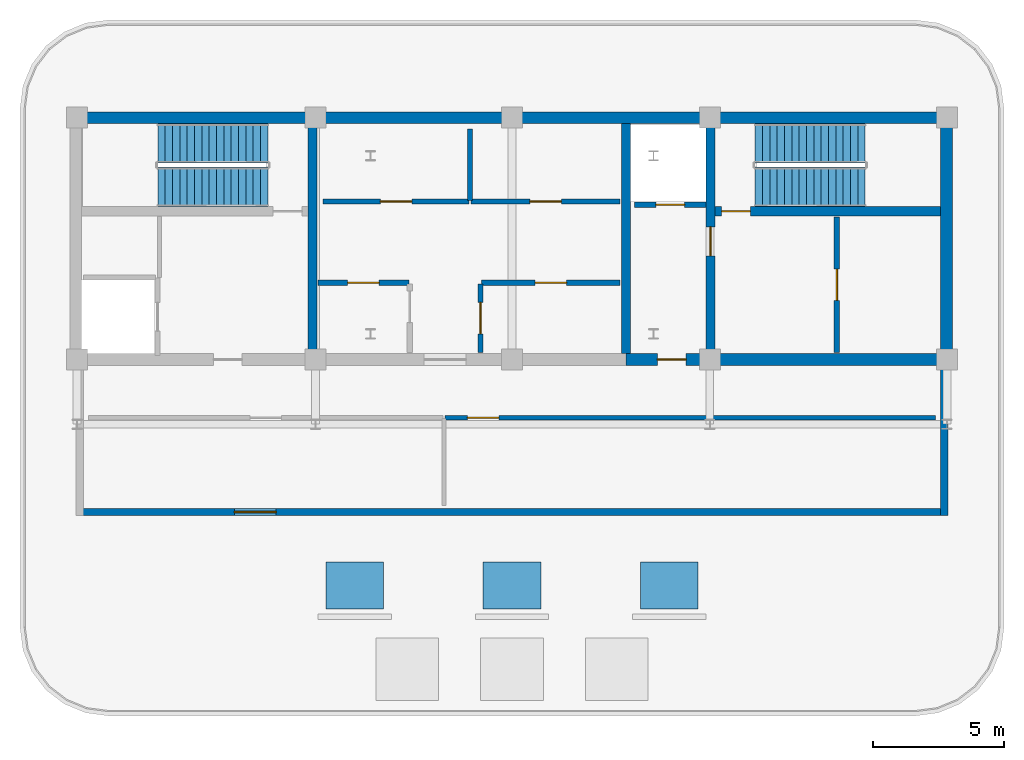
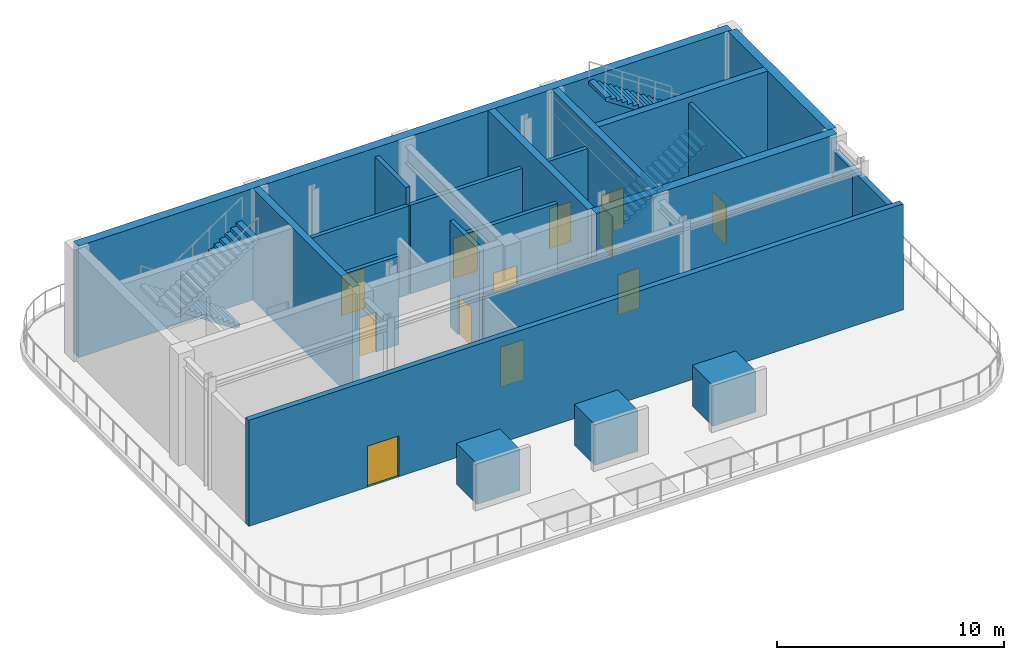
# One storey, part 2 of 4: 18 walls, 12 doors, 4 stair flights, 3 discrete accessories, 12 openings, 2 elements without a shape of their own.
"""IFC4 building model written with IfcOpenShell, lengths in metres."""

import ifcopenshell
import ifcopenshell.guid

model = None  # the IFC model being written
_history = None  # IfcOwnerHistory: only IFC2X3 demands one
_inside = {}  # id of a spatial element -> (the spatial element, [elements in it])
_under = {}  # id of a project, library or spatial element -> (it, [spatial elements below it])
_declared = {}  # id of a project -> (the project, [libraries it declares])
_typed = {}  # id of a type object -> (the type object, [elements of that type])
_made_of = {}  # id of a material, layer set ... -> (it, [elements and type objects made of it])


def new_model(schema):
    """Start an empty IFC model of exactly this schema.

    Asked for "IFC4X3", IfcOpenShell would pick the latest addendum, in which some entities
    have other attributes; the version numbers below select the first issue.
    IFC2X3 requires an IfcOwnerHistory on every rooted entity: one is made here for all.
    """
    global model, _history
    if schema == "IFC4X3":
        model = ifcopenshell.file(schema_version=(4, 3, 0, 0))
    else:
        model = ifcopenshell.file(schema=schema)
    _inside.clear()
    _under.clear()
    _declared.clear()
    _typed.clear()
    _made_of.clear()
    _history = None
    if model.schema == "IFC2X3":
        org = make("IfcOrganization", Name="unknown")
        user = make(
            "IfcPersonAndOrganization",
            ThePerson=make("IfcPerson", FamilyName="unknown"),
            TheOrganization=org,
        )
        app = make(
            "IfcApplication",
            ApplicationDeveloper=org,
            Version="unknown",
            ApplicationFullName="unknown",
            ApplicationIdentifier="unknown",
        )
        _history = make(
            "IfcOwnerHistory",
            OwningUser=user,
            OwningApplication=app,
            ChangeAction="ADDED",
            CreationDate=0,
        )
    return model


def make(cls, **values):
    """One entity of the class cls with the attributes given. An attribute that is None is left unset."""
    return model.create_entity(
        cls, **{name: value for name, value in values.items() if value is not None}
    )


def rooted(cls, **values):
    """An entity with a GlobalId (a new one), such as an element, a storey or a relation."""
    return make(cls, GlobalId=ifcopenshell.guid.new(), OwnerHistory=_history, **values)


def si_unit(unit_type, name, prefix=None):
    """IfcSIUnit, for example si_unit("LENGTHUNIT", "METRE", prefix="MILLI")."""
    return make("IfcSIUnit", UnitType=unit_type, Prefix=prefix, Name=name)


def assignment(units):
    """IfcUnitAssignment: the units of a project."""
    return None if units is None else make("IfcUnitAssignment", Units=units)


def point(xyz):
    """IfcCartesianPoint."""
    return None if xyz is None else make("IfcCartesianPoint", Coordinates=xyz)


def direction(xyz):
    """IfcDirection."""
    return None if xyz is None else make("IfcDirection", DirectionRatios=xyz)


def frame(location, z_axis=None, x_axis=None):
    """IfcAxis2Placement3D, a coordinate frame: its origin and axes. An axis left out is left unset."""
    return make(
        "IfcAxis2Placement3D",
        Location=point(location),
        Axis=direction(z_axis),
        RefDirection=direction(x_axis),
    )


def frame_2d(location, x_axis=None):
    """IfcAxis2Placement2D, a coordinate frame in the plane: its origin and x axis."""
    return make(
        "IfcAxis2Placement2D", Location=point(location), RefDirection=direction(x_axis)
    )


def origin():
    """The frame at (0, 0, 0) with its axes left unset."""
    return frame((0.0, 0.0, 0.0))


def origin_2d():
    """The frame at (0, 0) in the plane with its x axis left unset."""
    return frame_2d((0.0, 0.0))


def place(relative_to, where):
    """IfcLocalPlacement: puts the frame where relative to a parent placement (None: the world)."""
    return make(
        "IfcLocalPlacement", PlacementRelTo=relative_to, RelativePlacement=where
    )


def context(
    kind, dimensions, precision=None, world=None, true_north=None, identifier=None
):
    """IfcGeometricRepresentationContext, for example the 3D "Model" context."""
    return make(
        "IfcGeometricRepresentationContext",
        ContextIdentifier=identifier,
        ContextType=kind,
        CoordinateSpaceDimension=dimensions,
        Precision=precision,
        WorldCoordinateSystem=world,
        TrueNorth=true_north,
    )


def subcontext(parent, identifier, kind, view, scale=None):
    """IfcGeometricRepresentationSubContext, for example "Body" below "Model"."""
    return make(
        "IfcGeometricRepresentationSubContext",
        ContextIdentifier=identifier,
        ContextType=kind,
        ParentContext=parent,
        TargetScale=scale,
        TargetView=view,
    )


def project(units=None, contexts=None):
    """IfcProject with its units and contexts."""
    return rooted(
        "IfcProject",
        Name="project",
        RepresentationContexts=contexts,
        UnitsInContext=assignment(units),
    )


def spatial(cls, under=None, at=None, **own):
    """A site, building, storey or space (cls), placed at a placement, below another one or the project."""
    s = rooted(cls, ObjectPlacement=at, **own)
    if under is not None:
        _under.setdefault(under.id(), (under, []))[1].append(s)
    return s


def polyline(points):
    """IfcPolyline through the points."""
    return make("IfcPolyline", Points=[point(p) for p in points])


def profile(cls, at=None, kind="AREA", **sizes):
    """A parametric profile (cls). Its sizes go by their IFC names, for example OverallWidth=200.0."""
    return make(cls, ProfileType=kind, Position=at, **sizes)


def rectangle(**sizes):
    """IfcRectangleProfileDef."""
    return profile("IfcRectangleProfileDef", **sizes)


def outline(outer, holes=None, kind="AREA"):
    """IfcArbitraryClosedProfileDef: a profile drawn as a closed curve; with holes, ...WithVoids."""
    if holes is None:
        return make("IfcArbitraryClosedProfileDef", ProfileType=kind, OuterCurve=outer)
    return make(
        "IfcArbitraryProfileDefWithVoids",
        ProfileType=kind,
        OuterCurve=outer,
        InnerCurves=holes,
    )


def extrude(swept, where, along, depth):
    """IfcExtrudedAreaSolid: the profile swept, set in the frame where, extruded along a direction by depth."""
    return make(
        "IfcExtrudedAreaSolid",
        SweptArea=swept,
        Position=where,
        ExtrudedDirection=direction(along),
        Depth=depth,
    )


def shape(context_of_items, identifier, shape_type, items):
    """IfcShapeRepresentation: the items that make up one representation, for example the "Body"."""
    return make(
        "IfcShapeRepresentation",
        ContextOfItems=context_of_items,
        RepresentationIdentifier=identifier,
        RepresentationType=shape_type,
        Items=items,
    )


def material(Name=None, Category=None):
    """IfcMaterial."""
    return make("IfcMaterial", Name=Name, Category=Category)


def layer(
    of_material, thickness, ventilated=None, Name=None, Category=None, Priority=None
):
    """IfcMaterialLayer: one layer of a wall or slab, of a material (None: an air gap)."""
    return make(
        "IfcMaterialLayer",
        Material=of_material,
        LayerThickness=thickness,
        IsVentilated=ventilated,
        Name=Name,
        Category=Category,
        Priority=Priority,
    )


def layer_set(layers, Name=None):
    """IfcMaterialLayerSet."""
    return make("IfcMaterialLayerSet", MaterialLayers=layers, LayerSetName=Name)


def made_of(thing, what):
    """Note that an element or type object is made of a material, layer set ...; save() writes the relation."""
    if what is not None:
        _made_of.setdefault(what.id(), (what, []))[1].append(thing)
    return thing


def type_object(cls, material=None, **own):
    """A type object (cls), such as IfcWallType, which elements share."""
    return made_of(rooted(cls, **own), material)


def element(
    cls,
    number,
    at=None,
    inside=None,
    cuts=None,
    type_object=None,
    material=None,
    context=None,
    identifier="Body",
    shape_type=None,
    held_by="IfcProductDefinitionShape",
    body=None,
    shapes=None,
    **own,
):
    """One element of the class cls, such as IfcWall. Its Tag is "e" and its number.

    at: its placement. inside: the storey or other place that contains it. cuts: it is an
    opening in that element (IfcRelVoidsElement). A single representation is given by context,
    identifier, shape_type and body (its items); several are given by shapes. held_by: the class
    of the entity that holds the representations. save() writes the other relations.
    """
    e = rooted(cls, Tag="e%d" % number, ObjectPlacement=at, **own)
    if body is not None:
        shapes = [shape(context, identifier, shape_type, body)]
    if shapes is not None:
        e.Representation = make(held_by, Representations=shapes)
    if inside is not None:
        _inside.setdefault(inside.id(), (inside, []))[1].append(e)
    if cuts is not None:
        rooted(
            "IfcRelVoidsElement", RelatingBuildingElement=cuts, RelatedOpeningElement=e
        )
    if type_object is not None:
        _typed.setdefault(type_object.id(), (type_object, []))[1].append(e)
    return made_of(e, material)


def fill(opening, filler):
    """IfcRelFillsElement: the door or window that sits in an opening."""
    return rooted(
        "IfcRelFillsElement",
        RelatingOpeningElement=opening,
        RelatedBuildingElement=filler,
    )


def aggregate(whole, parts):
    """IfcRelAggregates: a whole, such as a stair, and the parts it consists of."""
    return rooted("IfcRelAggregates", RelatingObject=whole, RelatedObjects=parts)


def save(model, path):
    """Write the relations noted so far, then the file.

    IfcRelAggregates (storeys below a building ...), IfcRelContainedInSpatialStructure (elements
    in a storey), IfcRelDefinesByType, IfcRelAssociatesMaterial and IfcRelDeclares: one each for
    every whole, place, type object, material and project.
    """
    for whole, parts in _under.values():
        aggregate(whole, parts)
    for where, things in _inside.values():
        rooted(
            "IfcRelContainedInSpatialStructure",
            RelatedElements=things,
            RelatingStructure=where,
        )
    for kind, things in _typed.values():
        rooted("IfcRelDefinesByType", RelatedObjects=things, RelatingType=kind)
    for what, things in _made_of.values():
        rooted("IfcRelAssociatesMaterial", RelatedObjects=things, RelatingMaterial=what)
    for by, libraries in _declared.values():
        rooted("IfcRelDeclares", RelatingContext=by, RelatedDefinitions=libraries)
    model.write(path)


model = new_model("IFC4")

# Units and contexts
model_context = context("Model", 3, precision=1e-05, world=origin(), true_north=direction((0.0, 1.0)))
body_context = subcontext(model_context, "Body", "Model", "MODEL_VIEW")
ifc_project = project(units=[si_unit("LENGTHUNIT", "METRE"), si_unit("AREAUNIT", "SQUARE_METRE"), si_unit("VOLUMEUNIT", "CUBIC_METRE"), si_unit("PLANEANGLEUNIT", "RADIAN"), si_unit("MASSUNIT", "GRAM", prefix="KILO")], contexts=[model_context])

# Site, building, storey
site_placement = place(None, origin())
site = spatial("IfcSite", under=ifc_project, at=site_placement, CompositionType="ELEMENT")
building_placement = place(site_placement, origin())
building = spatial("IfcBuilding", under=site, at=building_placement, Name="Zarnavel Station Tower", CompositionType="ELEMENT")
storey_placement = place(building_placement, frame((0.0, 0.0, 280.60009765625)))
storey = spatial("IfcBuildingStorey", under=building, at=storey_placement, Name="L76", CompositionType="ELEMENT", Elevation=280.60009765625)

# Walls
ifc_material_1 = material(Name="Concrete C50/60", Category="concrete")
ifc_layer_1 = layer(ifc_material_1, 0.35009765625)
ifc_layer_set_1 = layer_set([ifc_layer_1], Name="CW_350")
wall_type_1 = type_object("IfcWallType", Name="CW_350", PredefinedType="SHEAR", material=ifc_layer_set_1)
for number, where, z_axis, x_axis, name in (
    (1, (21.179931640625, 28.044921875, 0.0), (0.0, 0.0, 1.0), (0.0, 1.0, 0.0), "L76 Rear Core Shear Wall DIV-W"),
    (2, (33.14990234375, 28.044921875, 0.0), (0.0, 0.0, 1.0), (0.0, 1.0, 0.0), "L76 Rear Core Shear Wall DIV-E"),
):
    element("IfcWall", number, at=place(storey_placement, frame(where, z_axis=z_axis, x_axis=x_axis)), inside=storey, type_object=wall_type_1, Name=name, PredefinedType="SHEAR", context=body_context, shape_type="SweptSolid", body=[
        extrude(rectangle(XDim=8.780029296875, YDim=0.35009765625, at=frame_2d((4.39013671875, 0.0))), origin(), (0.0, 0.0, 1.0), 6.0),
    ])

# Wall, opening, door
wall_1_placement = place(storey_placement, frame((36.3798828125, 28.044921875, 0.0), z_axis=(0.0, 0.0, 1.0), x_axis=(0.0, 1.0, 0.0)))
wall_1 = element("IfcWall", 3, at=wall_1_placement, inside=storey, type_object=wall_type_1, Name="L76 Rear Core Shear Wall DIV-S2", PredefinedType="SHEAR", context=body_context, shape_type="SweptSolid", body=[
    extrude(rectangle(XDim=8.780029296875, YDim=0.35009765625, at=frame_2d((4.39013671875, 0.0))), origin(), (0.0, 0.0, 1.0), 6.0),
])
opening_1_placement = place(wall_1_placement, frame((3.735107421875, 0.0, 0.0)))
opening_1 = element("IfcOpeningElement", 4, at=opening_1_placement, cuts=wall_1, Name="Opening FD01", PredefinedType="OPENING", context=body_context, shape_type="SweptSolid", body=[
    extrude(rectangle(XDim=1.10009765625, YDim=2.14990234375, at=frame_2d((0.550048828125, 1.074951171875))), frame((0.0, 0.18505859375, 0.0), z_axis=(0.0, -1.0, 0.0), x_axis=(1.0, 0.0, 0.0)), (0.0, 0.0, 1.0), 0.3701171875),
])
ifc_material_2 = material(Name="Painted Galvanised Steel and Hardwood Leaf", Category="steel")
door_type_1 = type_object("IfcDoorType", Name="ID_STAIR_1100", OperationType="NOTDEFINED", PredefinedType="DOOR", material=ifc_material_2)
door_1_placement = place(opening_1_placement, origin())
door_1 = element("IfcDoor", 5, at=door_1_placement, inside=storey, type_object=door_type_1, Name="L76 East Stair Vestibule Fire Door", OperationType="SINGLE_SWING_LEFT", OverallHeight=2.14990234375, OverallWidth=1.10009765625, PredefinedType="DOOR", context=body_context, shape_type="SweptSolid", body=[
    extrude(rectangle(XDim=1.10009765625, YDim=2.14990234375, at=frame_2d((0.550048828125, 1.074951171875))), frame((0.0, 0.02490234375, 0.0), z_axis=(0.0, -1.0, 0.0), x_axis=(1.0, 0.0, 0.0)), (0.0, 0.0, 1.0), 0.050048828125),
])
fill(opening_1, door_1)

wall_2_placement = place(storey_placement, frame((45.155029296875, 33.47998046875, 0.0), z_axis=(0.0, 0.0, 1.0), x_axis=(-1.0, 0.0, 0.0)))
wall_2 = element("IfcWall", 6, at=wall_2_placement, inside=storey, type_object=wall_type_1, Name="L76 Rear Core Shear Wall DIV-H2", PredefinedType="SHEAR", context=body_context, shape_type="SweptSolid", body=[
    extrude(rectangle(XDim=8.60009765625, YDim=0.35009765625, at=frame_2d((4.300048828125, 0.0))), origin(), (0.0, 0.0, 1.0), 6.0),
])
opening_2_placement = place(wall_2_placement, frame((7.2548828125, 0.0, 0.0)))
opening_2 = element("IfcOpeningElement", 7, at=opening_2_placement, cuts=wall_2, Name="Opening FD01", PredefinedType="OPENING", context=body_context, shape_type="SweptSolid", body=[
    extrude(rectangle(XDim=1.10009765625, YDim=2.14990234375, at=frame_2d((0.550048828125, 1.074951171875))), frame((0.0, 0.18505859375, 0.0), z_axis=(0.0, -1.0, 0.0), x_axis=(1.0, 0.0, 0.0)), (0.0, 0.0, 1.0), 0.3701171875),
])
door_2_placement = place(opening_2_placement, origin())
door_2 = element("IfcDoor", 8, at=door_2_placement, inside=storey, type_object=door_type_1, Name="L76 Stair ST2 Lobby Fire Door", OperationType="SINGLE_SWING_RIGHT", OverallHeight=2.14990234375, OverallWidth=1.10009765625, PredefinedType="DOOR", context=body_context, shape_type="SweptSolid", body=[
    extrude(rectangle(XDim=1.10009765625, YDim=2.14990234375, at=frame_2d((0.550048828125, 1.074951171875))), frame((0.0, 0.02490234375, 0.0), z_axis=(0.0, -1.0, 0.0), x_axis=(1.0, 0.0, 0.0)), (0.0, 0.0, 1.0), 0.050048828125),
])
fill(opening_2, door_2)

# Wall
ifc_material_3 = material(Name="Concrete C50/60", Category="concrete")
ifc_layer_2 = layer(ifc_material_3, 0.449951171875)
ifc_layer_set_2 = layer_set([ifc_layer_2], Name="CW_450")
wall_type_2 = type_object("IfcWallType", Name="CW_450", PredefinedType="SHEAR", material=ifc_layer_set_2)
wall_3_placement = place(storey_placement, frame((12.14990234375, 37.050048828125, 0.0), z_axis=(0.0, 0.0, 1.0), x_axis=(1.0, 0.0, 0.0)))
element("IfcWall", 9, at=wall_3_placement, inside=storey, type_object=wall_type_2, Name="L76 Rear Core Shear Wall N", PredefinedType="SHEAR", context=body_context, shape_type="SweptSolid", body=[
    extrude(rectangle(XDim=33.22998046875, YDim=0.449951171875, at=frame_2d((16.614990234375, 0.0))), origin(), (0.0, 0.0, 1.0), 6.0),
])

# Wall, opening, door
wall_4_placement = place(storey_placement, frame((45.3798828125, 27.820068359375, 0.0), z_axis=(0.0, 0.0, 1.0), x_axis=(-1.0, 0.0, 0.0)))
wall_4 = element("IfcWall", 10, at=wall_4_placement, inside=storey, type_object=wall_type_2, Name="L76 Rear Core Shear Wall S-E", PredefinedType="SHEAR", context=body_context, shape_type="SweptSolid", body=[
    extrude(rectangle(XDim=12.22998046875, YDim=0.449951171875, at=frame_2d((6.114990234375, 0.0))), origin(), (0.0, 0.0, 1.0), 6.0),
])
opening_3_placement = place(wall_4_placement, frame((9.929931640625, 0.0, 0.0)))
opening_3 = element("IfcOpeningElement", 11, at=opening_3_placement, cuts=wall_4, Name="Opening FD01", PredefinedType="OPENING", context=body_context, shape_type="SweptSolid", body=[
    extrude(rectangle(XDim=1.10009765625, YDim=2.14990234375, at=frame_2d((0.550048828125, 1.074951171875))), frame((0.0, 0.23486328125, 0.0), z_axis=(0.0, -1.0, 0.0), x_axis=(1.0, 0.0, 0.0)), (0.0, 0.0, 1.0), 0.469970703125),
])
door_3_placement = place(opening_3_placement, origin())
door_3 = element("IfcDoor", 12, at=door_3_placement, inside=storey, type_object=door_type_1, Name="L76 East Firefighting Lobby Door", OperationType="SINGLE_SWING_LEFT", OverallHeight=2.14990234375, OverallWidth=1.10009765625, PredefinedType="DOOR", context=body_context, shape_type="SweptSolid", body=[
    extrude(rectangle(XDim=1.10009765625, YDim=2.14990234375, at=frame_2d((0.550048828125, 1.074951171875))), frame((0.0, 0.02490234375, 0.0), z_axis=(0.0, -1.0, 0.0), x_axis=(1.0, 0.0, 0.0)), (0.0, 0.0, 1.0), 0.050048828125),
])
fill(opening_3, door_3)

# Wall
wall_5_placement = place(storey_placement, frame((45.3798828125, 28.044921875, 0.0), z_axis=(0.0, 0.0, 1.0), x_axis=(0.0, 1.0, 0.0)))
element("IfcWall", 13, at=wall_5_placement, inside=storey, type_object=wall_type_2, Name="L76 Rear Core Shear Wall E", PredefinedType="SHEAR", context=body_context, shape_type="SweptSolid", body=[
    extrude(rectangle(XDim=8.780029296875, YDim=0.449951171875, at=frame_2d((4.39013671875, 0.0))), origin(), (0.0, 0.0, 1.0), 6.0),
])

# Wall, opening, door
ifc_material_4 = material(Name="Precast concrete C45/55 (Crown Drum Cladding)", Category="concrete")
ifc_layer_3 = layer(ifc_material_4, 0.280029296875)
ifc_layer_set_3 = layer_set([ifc_layer_3], Name="EW_DRUM_280")
wall_type_3 = type_object("IfcWallType", Name="EW_DRUM_280", PredefinedType="SOLIDWALL", material=ifc_layer_set_3)
wall_6_placement = place(storey_placement, frame((45.43994140625, 22.0, 0.0), z_axis=(0.0, 0.0, 1.0), x_axis=(-1.0, 0.0, 0.0)))
wall_6 = element("IfcWall", 14, at=wall_6_placement, inside=storey, type_object=wall_type_3, Name="L76 Turbine Plant South Enclosure Wall", PredefinedType="SOLIDWALL", context=body_context, shape_type="SweptSolid", body=[
    extrude(rectangle(XDim=33.280029296875, YDim=0.280029296875, at=frame_2d((16.64013671875, 0.0))), origin(), (0.0, 0.0, 1.0), 5.699951171875),
])
opening_4_placement = place(wall_6_placement, frame((25.639892578125, 0.0, 0.0)))
opening_4 = element("IfcOpeningElement", 15, at=opening_4_placement, cuts=wall_6, Name="Opening ED03", PredefinedType="OPENING", context=body_context, shape_type="SweptSolid", body=[
    extrude(rectangle(XDim=1.60009765625, YDim=2.199951171875, at=frame_2d((0.800048828125, 1.10009765625))), frame((0.0, 0.14990234375, 0.0), z_axis=(0.0, -1.0, 0.0), x_axis=(1.0, 0.0, 0.0)), (0.0, 0.0, 1.0), 0.300048828125),
])
ifc_material_5 = material(Name="Thermally Broken Black Aluminium and Laminated Safety Glass", Category="aluminium")
door_type_2 = type_object("IfcDoorType", Name="ED_TERR_1600", OperationType="DOUBLE_DOOR_SLIDING", PredefinedType="DOOR", material=ifc_material_5)
door_4_placement = place(opening_4_placement, origin())
door_4 = element("IfcDoor", 16, at=door_4_placement, inside=storey, type_object=door_type_2, Name="L76 Turbine Maintenance Deck Door", OperationType="DOUBLE_DOOR_SLIDING", OverallHeight=2.199951171875, OverallWidth=1.60009765625, PredefinedType="DOOR", context=body_context, shape_type="SweptSolid", body=[
    extrude(rectangle(XDim=1.60009765625, YDim=2.199951171875, at=frame_2d((0.800048828125, 1.10009765625))), frame((0.0, 0.02490234375, 0.0), z_axis=(0.0, -1.0, 0.0), x_axis=(1.0, 0.0, 0.0)), (0.0, 0.0, 1.0), 0.050048828125),
])
fill(opening_4, door_4)

# Wall
wall_7_placement = place(storey_placement, frame((45.300048828125, 27.550048828125, 0.0), z_axis=(0.0, 0.0, 1.0), x_axis=(0.0, -1.0, 0.0)))
element("IfcWall", 17, at=wall_7_placement, inside=storey, type_object=wall_type_3, Name="L76 Turbine Plant E Wall", PredefinedType="SOLIDWALL", context=body_context, shape_type="SweptSolid", body=[
    extrude(rectangle(XDim=5.68994140625, YDim=0.280029296875, at=frame_2d((2.844970703125, 0.0))), origin(), (0.0, 0.0, 1.0), 5.179931640625),
])

# Wall, opening, door
ifc_material_6 = material(Name="Gypsum Twin-Stud Acoustic Fire Partition", Category="concrete")
ifc_layer_4 = layer(ifc_material_6, 0.159912109375)
ifc_layer_set_4 = layer_set([ifc_layer_4], Name="PT_DEMISE_160")
wall_type_4 = type_object("IfcWallType", Name="PT_DEMISE_160", PredefinedType="PARTITIONING", material=ifc_layer_set_4)
wall_8_placement = place(storey_placement, frame((26.239990234375, 25.60009765625, 0.0), z_axis=(0.0, 0.0, 1.0), x_axis=(1.0, 0.0, 0.0)))
wall_8 = element("IfcWall", 18, at=wall_8_placement, inside=storey, type_object=wall_type_4, Name="L76 Partition TCOR-INV", PredefinedType="PARTITIONING", context=body_context, shape_type="SweptSolid", body=[
    extrude(rectangle(XDim=18.719970703125, YDim=0.159912109375, at=frame_2d((9.35986328125, 0.0))), origin(), (0.0, 0.0, 1.0), 5.179931640625),
])
opening_5_placement = place(wall_8_placement, frame((0.8583984375, 0.0, 0.0)))
opening_5 = element("IfcOpeningElement", 19, at=opening_5_placement, cuts=wall_8, Name="Opening FD03", PredefinedType="OPENING", context=body_context, shape_type="SweptSolid", body=[
    extrude(rectangle(XDim=1.199951171875, YDim=2.14990234375, at=frame_2d((0.60009765625, 1.074951171875))), frame((0.0, 0.08984375, 0.0), z_axis=(0.0, -1.0, 0.0), x_axis=(1.0, 0.0, 0.0)), (0.0, 0.0, 1.0), 0.179931640625),
])
ifc_material_7 = material(Name="Painted Galvanised Steel and Hardwood Leaf", Category="steel")
door_type_3 = type_object("IfcDoorType", Name="ID_PLANT_1200", OperationType="NOTDEFINED", PredefinedType="DOOR", material=ifc_material_7)
door_5_placement = place(opening_5_placement, origin())
door_5 = element("IfcDoor", 20, at=door_5_placement, inside=storey, type_object=door_type_3, Name="L76 Door TCOR-INV", OperationType="SINGLE_SWING_RIGHT", OverallHeight=2.14990234375, OverallWidth=1.199951171875, PredefinedType="DOOR", context=body_context, shape_type="SweptSolid", body=[
    extrude(rectangle(XDim=1.199951171875, YDim=2.14990234375, at=frame_2d((0.60009765625, 1.074951171875))), frame((0.0, 0.02490234375, 0.0), z_axis=(0.0, -1.0, 0.0), x_axis=(1.0, 0.0, 0.0)), (0.0, 0.0, 1.0), 0.050048828125),
])
fill(opening_5, door_5)

ifc_material_8 = material(Name="Precast concrete C45/55 (Fire Shaft Blockwork)", Category="masonry")
ifc_layer_5 = layer(ifc_material_8, 0.199951171875)
ifc_layer_set_5 = layer_set([ifc_layer_5], Name="PT_SHAFT_200")
wall_type_5 = type_object("IfcWallType", Name="PT_SHAFT_200", PredefinedType="PARTITIONING", material=ifc_layer_set_5)
wall_9_placement = place(storey_placement, frame((33.47509765625, 33.72998046875, 0.0), z_axis=(0.0, 0.0, 1.0), x_axis=(1.0, 0.0, 0.0)))
wall_9 = element("IfcWall", 21, at=wall_9_placement, inside=storey, type_object=wall_type_5, Name="L76 Lift FFL-02 Shaft Front Wall", PredefinedType="PARTITIONING", context=body_context, shape_type="SweptSolid", body=[
    extrude(rectangle(XDim=2.724853515625, YDim=0.199951171875, at=frame_2d((1.3623046875, 0.0))), origin(), (0.0, 0.0, 1.0), 4.77001953125),
])
opening_6_placement = place(wall_9_placement, frame((0.8125, 0.0, 0.0)))
opening_6 = element("IfcOpeningElement", 22, at=opening_6_placement, cuts=wall_9, Name="Opening LD01", PredefinedType="OPENING", context=body_context, shape_type="SweptSolid", body=[
    extrude(rectangle(XDim=1.10009765625, YDim=2.14990234375, at=frame_2d((0.550048828125, 1.074951171875))), frame((0.0, 0.10986328125, 0.0), z_axis=(0.0, -1.0, 0.0), x_axis=(1.0, 0.0, 0.0)), (0.0, 0.0, 1.0), 0.219970703125),
])
ifc_material_9 = material(Name="Painted Galvanised Steel and Hardwood Leaf", Category="steel")
door_type_4 = type_object("IfcDoorType", Name="LD_FF_1100", OperationType="DOUBLE_DOOR_SLIDING", PredefinedType="DOOR", material=ifc_material_9)
door_6_placement = place(opening_6_placement, origin())
door_6 = element("IfcDoor", 23, at=door_6_placement, inside=storey, type_object=door_type_4, Name="L76 Lift FFL-02 Sliding Landing Door", OperationType="DOUBLE_DOOR_SLIDING", OverallHeight=2.14990234375, OverallWidth=1.10009765625, PredefinedType="DOOR", context=body_context, shape_type="SweptSolid", body=[
    extrude(rectangle(XDim=1.10009765625, YDim=2.14990234375, at=frame_2d((0.550048828125, 1.074951171875))), frame((0.0, 0.02490234375, 0.0), z_axis=(0.0, -1.0, 0.0), x_axis=(1.0, 0.0, 0.0)), (0.0, 0.0, 1.0), 0.050048828125),
])
fill(opening_6, door_6)

wall_10_placement = place(storey_placement, frame((41.199951171875, 28.090087890625, 0.0), z_axis=(0.0, 0.0, 1.0), x_axis=(0.0, 1.0, 0.0)))
wall_10 = element("IfcWall", 24, at=wall_10_placement, inside=storey, type_object=wall_type_5, Name="L76 Partition ESTV-CEA", PredefinedType="PARTITIONING", context=body_context, shape_type="SweptSolid", body=[
    extrude(rectangle(XDim=5.169921875, YDim=0.199951171875, at=frame_2d((2.5849609375, 0.0))), origin(), (0.0, 0.0, 1.0), 5.699951171875),
])
opening_7_placement = place(wall_10_placement, frame((1.985107421875, 0.0, 0.0)))
opening_7 = element("IfcOpeningElement", 25, at=opening_7_placement, cuts=wall_10, Name="Opening FD03", PredefinedType="OPENING", context=body_context, shape_type="SweptSolid", body=[
    extrude(rectangle(XDim=1.199951171875, YDim=2.14990234375, at=frame_2d((0.60009765625, 1.074951171875))), frame((0.0, 0.10986328125, 0.0), z_axis=(0.0, -1.0, 0.0), x_axis=(1.0, 0.0, 0.0)), (0.0, 0.0, 1.0), 0.219970703125),
])
door_7_placement = place(opening_7_placement, origin())
door_7 = element("IfcDoor", 26, at=door_7_placement, inside=storey, type_object=door_type_3, Name="L76 Door ESTV-CEA", OperationType="SINGLE_SWING_RIGHT", OverallHeight=2.14990234375, OverallWidth=1.199951171875, PredefinedType="DOOR", context=body_context, shape_type="SweptSolid", body=[
    extrude(rectangle(XDim=1.199951171875, YDim=2.14990234375, at=frame_2d((0.60009765625, 1.074951171875))), frame((0.0, 0.02490234375, 0.0), z_axis=(0.0, -1.0, 0.0), x_axis=(1.0, 0.0, 0.0)), (0.0, 0.0, 1.0), 0.050048828125),
])
fill(opening_7, door_7)

wall_11_placement = place(storey_placement, frame((21.39990234375, 30.75, 0.0), z_axis=(0.0, 0.0, 1.0), x_axis=(1.0, 0.0, 0.0)))
wall_11 = element("IfcWall", 27, at=wall_11_placement, inside=storey, type_object=wall_type_5, Name="L76 Partition LLOB-CS1", PredefinedType="PARTITIONING", context=body_context, shape_type="SweptSolid", body=[
    extrude(rectangle(XDim=3.460205078125, YDim=0.199951171875, at=frame_2d((1.72998046875, 0.0))), origin(), (0.0, 0.0, 1.0), 4.77001953125),
])
opening_8_placement = place(wall_11_placement, frame((1.1298828125, 0.0, 0.0)))
opening_8 = element("IfcOpeningElement", 28, at=opening_8_placement, cuts=wall_11, Name="Opening FD03", PredefinedType="OPENING", context=body_context, shape_type="SweptSolid", body=[
    extrude(rectangle(XDim=1.199951171875, YDim=2.14990234375, at=frame_2d((0.60009765625, 1.074951171875))), frame((0.0, 0.10986328125, 0.0), z_axis=(0.0, -1.0, 0.0), x_axis=(1.0, 0.0, 0.0)), (0.0, 0.0, 1.0), 0.219970703125),
])
door_8_placement = place(opening_8_placement, origin())
door_8 = element("IfcDoor", 29, at=door_8_placement, inside=storey, type_object=door_type_3, Name="L76 Door LLOB-CS1", OperationType="SINGLE_SWING_LEFT", OverallHeight=2.14990234375, OverallWidth=1.199951171875, PredefinedType="DOOR", context=body_context, shape_type="SweptSolid", body=[
    extrude(rectangle(XDim=1.199951171875, YDim=2.14990234375, at=frame_2d((0.60009765625, 1.074951171875))), frame((0.0, 0.02490234375, 0.0), z_axis=(0.0, -1.0, 0.0), x_axis=(1.0, 0.0, 0.0)), (0.0, 0.0, 1.0), 0.050048828125),
])
fill(opening_8, door_8)

wall_12_placement = place(storey_placement, frame((27.639892578125, 30.75, 0.0), z_axis=(0.0, 0.0, 1.0), x_axis=(1.0, 0.0, 0.0)))
wall_12 = element("IfcWall", 30, at=wall_12_placement, inside=storey, type_object=wall_type_5, Name="L76 Partition LLOB-FB3A", PredefinedType="PARTITIONING", context=body_context, shape_type="SweptSolid", body=[
    extrude(rectangle(XDim=5.2900390625, YDim=0.199951171875, at=frame_2d((2.64501953125, 0.0))), origin(), (0.0, 0.0, 1.0), 4.77001953125),
])
opening_9_placement = place(wall_12_placement, frame((2.044921875, 0.0, 0.0)))
opening_9 = element("IfcOpeningElement", 31, at=opening_9_placement, cuts=wall_12, Name="Opening FD03", PredefinedType="OPENING", context=body_context, shape_type="SweptSolid", body=[
    extrude(rectangle(XDim=1.199951171875, YDim=2.14990234375, at=frame_2d((0.60009765625, 1.074951171875))), frame((0.0, 0.10986328125, 0.0), z_axis=(0.0, -1.0, 0.0), x_axis=(1.0, 0.0, 0.0)), (0.0, 0.0, 1.0), 0.219970703125),
])
door_9_placement = place(opening_9_placement, origin())
door_9 = element("IfcDoor", 32, at=door_9_placement, inside=storey, type_object=door_type_3, Name="L76 Door LLOB-FB3A", OperationType="SINGLE_SWING_RIGHT", OverallHeight=2.14990234375, OverallWidth=1.199951171875, PredefinedType="DOOR", context=body_context, shape_type="SweptSolid", body=[
    extrude(rectangle(XDim=1.199951171875, YDim=2.14990234375, at=frame_2d((0.60009765625, 1.074951171875))), frame((0.0, 0.02490234375, 0.0), z_axis=(0.0, -1.0, 0.0), x_axis=(1.0, 0.0, 0.0)), (0.0, 0.0, 1.0), 0.050048828125),
])
fill(opening_9, door_9)

wall_13_placement = place(storey_placement, frame((21.590087890625, 33.85009765625, 0.0), z_axis=(0.0, 0.0, 1.0), x_axis=(1.0, 0.0, 0.0)))
wall_13 = element("IfcWall", 33, at=wall_13_placement, inside=storey, type_object=wall_type_5, Name="L76 Partition LLOB-FB2A", PredefinedType="PARTITIONING", context=body_context, shape_type="SweptSolid", body=[
    extrude(rectangle(XDim=5.56982421875, YDim=0.199951171875, at=frame_2d((2.784912109375, 0.0))), origin(), (0.0, 0.0, 1.0), 4.77001953125),
])
opening_10_placement = place(wall_13_placement, frame((2.18505859375, 0.0, 0.0)))
opening_10 = element("IfcOpeningElement", 34, at=opening_10_placement, cuts=wall_13, Name="Opening FD03", PredefinedType="OPENING", context=body_context, shape_type="SweptSolid", body=[
    extrude(rectangle(XDim=1.199951171875, YDim=2.14990234375, at=frame_2d((0.60009765625, 1.074951171875))), frame((0.0, 0.10986328125, 0.0), z_axis=(0.0, -1.0, 0.0), x_axis=(1.0, 0.0, 0.0)), (0.0, 0.0, 1.0), 0.219970703125),
])
door_10_placement = place(opening_10_placement, origin())
door_10 = element("IfcDoor", 35, at=door_10_placement, inside=storey, type_object=door_type_3, Name="L76 Door LLOB-FB2A", OperationType="SINGLE_SWING_LEFT", OverallHeight=2.14990234375, OverallWidth=1.199951171875, PredefinedType="DOOR", context=body_context, shape_type="SweptSolid", body=[
    extrude(rectangle(XDim=1.199951171875, YDim=2.14990234375, at=frame_2d((0.60009765625, 1.074951171875))), frame((0.0, 0.02490234375, 0.0), z_axis=(0.0, -1.0, 0.0), x_axis=(1.0, 0.0, 0.0)), (0.0, 0.0, 1.0), 0.050048828125),
])
fill(opening_10, door_10)

wall_14_placement = place(storey_placement, frame((27.239990234375, 33.85009765625, 0.0), z_axis=(0.0, 0.0, 1.0), x_axis=(1.0, 0.0, 0.0)))
wall_14 = element("IfcWall", 36, at=wall_14_placement, inside=storey, type_object=wall_type_5, Name="L76 Partition LLOB-FB2B", PredefinedType="PARTITIONING", context=body_context, shape_type="SweptSolid", body=[
    extrude(rectangle(XDim=5.68994140625, YDim=0.199951171875, at=frame_2d((2.844970703125, 0.0))), origin(), (0.0, 0.0, 1.0), 4.77001953125),
])
opening_11_placement = place(wall_14_placement, frame((2.2451171875, 0.0, 0.0)))
opening_11 = element("IfcOpeningElement", 37, at=opening_11_placement, cuts=wall_14, Name="Opening FD03", PredefinedType="OPENING", context=body_context, shape_type="SweptSolid", body=[
    extrude(rectangle(XDim=1.199951171875, YDim=2.14990234375, at=frame_2d((0.60009765625, 1.074951171875))), frame((0.0, 0.10986328125, 0.0), z_axis=(0.0, -1.0, 0.0), x_axis=(1.0, 0.0, 0.0)), (0.0, 0.0, 1.0), 0.219970703125),
])
door_11_placement = place(opening_11_placement, origin())
door_11 = element("IfcDoor", 38, at=door_11_placement, inside=storey, type_object=door_type_3, Name="L76 Door LLOB-FB2B", OperationType="SINGLE_SWING_RIGHT", OverallHeight=2.14990234375, OverallWidth=1.199951171875, PredefinedType="DOOR", context=body_context, shape_type="SweptSolid", body=[
    extrude(rectangle(XDim=1.199951171875, YDim=2.14990234375, at=frame_2d((0.60009765625, 1.074951171875))), frame((0.0, 0.02490234375, 0.0), z_axis=(0.0, -1.0, 0.0), x_axis=(1.0, 0.0, 0.0)), (0.0, 0.0, 1.0), 0.050048828125),
])
fill(opening_11, door_11)

wall_15_placement = place(storey_placement, frame((27.60009765625, 28.090087890625, 0.0), z_axis=(0.0, 0.0, 1.0), x_axis=(0.0, 1.0, 0.0)))
wall_15 = element("IfcWall", 39, at=wall_15_placement, inside=storey, type_object=wall_type_5, Name="L76 Partition LLOBS-FB3A", PredefinedType="PARTITIONING", context=body_context, shape_type="SweptSolid", body=[
    extrude(rectangle(XDim=2.619873046875, YDim=0.199951171875, at=frame_2d((1.31005859375, 0.0))), origin(), (0.0, 0.0, 1.0), 5.699951171875),
])
opening_12_placement = place(wall_15_placement, frame((0.7099609375, 0.0, 0.0)))
opening_12 = element("IfcOpeningElement", 40, at=opening_12_placement, cuts=wall_15, Name="Opening FD03", PredefinedType="OPENING", context=body_context, shape_type="SweptSolid", body=[
    extrude(rectangle(XDim=1.199951171875, YDim=2.14990234375, at=frame_2d((0.60009765625, 1.074951171875))), frame((0.0, 0.10986328125, 0.0), z_axis=(0.0, -1.0, 0.0), x_axis=(1.0, 0.0, 0.0)), (0.0, 0.0, 1.0), 0.219970703125),
])
door_12_placement = place(opening_12_placement, origin())
door_12 = element("IfcDoor", 41, at=door_12_placement, inside=storey, type_object=door_type_3, Name="L76 Door LLOBS-FB3A", OperationType="SINGLE_SWING_RIGHT", OverallHeight=2.14990234375, OverallWidth=1.199951171875, PredefinedType="DOOR", context=body_context, shape_type="SweptSolid", body=[
    extrude(rectangle(XDim=1.199951171875, YDim=2.14990234375, at=frame_2d((0.60009765625, 1.074951171875))), frame((0.0, 0.02490234375, 0.0), z_axis=(0.0, -1.0, 0.0), x_axis=(1.0, 0.0, 0.0)), (0.0, 0.0, 1.0), 0.050048828125),
])
fill(opening_12, door_12)

# Wall
wall_16_placement = place(storey_placement, frame((27.199951171875, 33.889892578125, 0.0), z_axis=(0.0, 0.0, 1.0), x_axis=(0.0, 1.0, 0.0)))
element("IfcWall", 42, at=wall_16_placement, inside=storey, type_object=wall_type_5, Name="L76 Partition FB2A-FB2B", PredefinedType="PARTITIONING", context=body_context, shape_type="SweptSolid", body=[
    extrude(rectangle(XDim=2.72021484375, YDim=0.199951171875, at=frame_2d((1.360107421875, 0.0))), origin(), (0.0, 0.0, 1.0), 5.699951171875),
])

# Stair, stair flights
ifc_material_10 = material(Name="Concrete C45/55", Category="concrete")
stair_type = type_object("IfcStairType", Name="ST_CORE_150", PredefinedType="HALF_TURN_STAIR", material=ifc_material_10)
stair_1_placement = place(storey_placement, origin())
stair_1 = element("IfcStair", 43, at=stair_1_placement, inside=storey, type_object=stair_type, Name="L76 Core Exit Stair ST1", PredefinedType="HALF_TURN_STAIR")
ifc_material_11 = material(Name="Concrete C45/55", Category="concrete")
ifc_layer_6 = layer(ifc_material_11, 0.179931640625)
ifc_layer_set_6 = layer_set([ifc_layer_6], Name="ST_CORE_150_FLT")
stair_flight_type = type_object("IfcStairFlightType", Name="ST_CORE_150_FLT", PredefinedType="STRAIGHT", material=ifc_layer_set_6)
stair_flight_1_placement = place(storey_placement, frame((19.47998046875, 36.070068359375, 0.0), z_axis=(0.0, 0.0, 1.0), x_axis=(-1.0, 0.0, 0.0)))
stair_flight_1 = element("IfcStairFlight", 44, at=stair_flight_1_placement, type_object=stair_flight_type, Name="ST1 flight 1", NumberOfRisers=16, NumberOfTreads=15, PredefinedType="STRAIGHT", RiserHeight=0.1875, TreadLength=0.28, context=body_context, shape_type="SweptSolid", body=[
    extrude(outline(polyline([(0.0, 0.0), (0.0, 0.1875), (0.280029296875, 0.1875), (0.280029296875, 0.375), (0.56005859375, 0.375), (0.56005859375, 0.5625), (0.840087890625, 0.5625), (0.840087890625, 0.75), (1.1201171875, 0.75), (1.1201171875, 0.9375), (1.39990234375, 0.9375), (1.39990234375, 1.125), (1.679931640625, 1.125), (1.679931640625, 1.3125), (1.9599609375, 1.3125), (1.9599609375, 1.5), (2.239990234375, 1.5), (2.239990234375, 1.6875), (2.52001953125, 1.6875), (2.52001953125, 1.875), (2.800048828125, 1.875), (2.800048828125, 2.0625), (3.080078125, 2.0625), (3.080078125, 2.25), (3.360107421875, 2.25), (3.360107421875, 2.4375), (3.639892578125, 2.4375), (3.639892578125, 2.625), (3.919921875, 2.625), (3.919921875, 2.8125), (4.199951171875, 2.8125), (4.199951171875, 3.0), (4.199951171875, 2.632080078125), (0.26953125, 0.0), (0.0, 0.0)])), frame((0.0, 0.75, 0.0), z_axis=(0.0, -1.0, 0.0), x_axis=(1.0, 0.0, 0.0)), (0.0, 0.0, 1.0), 1.5),
])
stair_flight_2_placement = place(storey_placement, frame((15.280029296875, 34.409912109375, 3.0), z_axis=(0.0, 0.0, 1.0), x_axis=(1.0, 0.0, 0.0)))
stair_flight_2 = element("IfcStairFlight", 45, at=stair_flight_2_placement, type_object=stair_flight_type, Name="ST1 flight 2", NumberOfRisers=16, NumberOfTreads=15, PredefinedType="STRAIGHT", RiserHeight=0.1875, TreadLength=0.28, context=body_context, shape_type="SweptSolid", body=[
    extrude(outline(polyline([(0.0, 0.0), (0.0, 0.1875), (0.280029296875, 0.1875), (0.280029296875, 0.375), (0.56005859375, 0.375), (0.56005859375, 0.5625), (0.840087890625, 0.5625), (0.840087890625, 0.75), (1.1201171875, 0.75), (1.1201171875, 0.9375), (1.39990234375, 0.9375), (1.39990234375, 1.125), (1.679931640625, 1.125), (1.679931640625, 1.3125), (1.9599609375, 1.3125), (1.9599609375, 1.5), (2.239990234375, 1.5), (2.239990234375, 1.6875), (2.52001953125, 1.6875), (2.52001953125, 1.875), (2.800048828125, 1.875), (2.800048828125, 2.0625), (3.080078125, 2.0625), (3.080078125, 2.25), (3.360107421875, 2.25), (3.360107421875, 2.4375), (3.639892578125, 2.4375), (3.639892578125, 2.625), (3.919921875, 2.625), (3.919921875, 2.8125), (4.199951171875, 2.8125), (4.199951171875, 3.0), (4.199951171875, 2.632080078125), (0.26953125, 0.0), (0.0, 0.0)])), frame((0.0, 0.75, 0.0), z_axis=(0.0, -1.0, 0.0), x_axis=(1.0, 0.0, 0.0)), (0.0, 0.0, 1.0), 1.5),
])
aggregate(stair_1, [stair_flight_1, stair_flight_2])

stair_2_placement = place(storey_placement, origin())
stair_2 = element("IfcStair", 46, at=stair_2_placement, inside=storey, type_object=stair_type, Name="L76 Core Exit Stair ST2", PredefinedType="HALF_TURN_STAIR")
stair_flight_3_placement = place(storey_placement, frame((38.080078125, 34.409912109375, 0.0), z_axis=(0.0, 0.0, 1.0), x_axis=(1.0, 0.0, 0.0)))
stair_flight_3 = element("IfcStairFlight", 47, at=stair_flight_3_placement, type_object=stair_flight_type, Name="ST2 flight 1", NumberOfRisers=16, NumberOfTreads=15, PredefinedType="STRAIGHT", RiserHeight=0.1875, TreadLength=0.28, context=body_context, shape_type="SweptSolid", body=[
    extrude(outline(polyline([(0.0, 0.0), (0.0, 0.1875), (0.280029296875, 0.1875), (0.280029296875, 0.375), (0.56005859375, 0.375), (0.56005859375, 0.5625), (0.840087890625, 0.5625), (0.840087890625, 0.75), (1.1201171875, 0.75), (1.1201171875, 0.9375), (1.39990234375, 0.9375), (1.39990234375, 1.125), (1.679931640625, 1.125), (1.679931640625, 1.3125), (1.9599609375, 1.3125), (1.9599609375, 1.5), (2.239990234375, 1.5), (2.239990234375, 1.6875), (2.52001953125, 1.6875), (2.52001953125, 1.875), (2.800048828125, 1.875), (2.800048828125, 2.0625), (3.080078125, 2.0625), (3.080078125, 2.25), (3.360107421875, 2.25), (3.360107421875, 2.4375), (3.639892578125, 2.4375), (3.639892578125, 2.625), (3.919921875, 2.625), (3.919921875, 2.8125), (4.199951171875, 2.8125), (4.199951171875, 3.0), (4.199951171875, 2.632080078125), (0.26953125, 0.0), (0.0, 0.0)])), frame((0.0, 0.75, 0.0), z_axis=(0.0, -1.0, 0.0), x_axis=(1.0, 0.0, 0.0)), (0.0, 0.0, 1.0), 1.5),
])
stair_flight_4_placement = place(storey_placement, frame((42.280029296875, 36.070068359375, 3.0), z_axis=(0.0, 0.0, 1.0), x_axis=(-1.0, 0.0, 0.0)))
stair_flight_4 = element("IfcStairFlight", 48, at=stair_flight_4_placement, type_object=stair_flight_type, Name="ST2 flight 2", NumberOfRisers=16, NumberOfTreads=15, PredefinedType="STRAIGHT", RiserHeight=0.1875, TreadLength=0.28, context=body_context, shape_type="SweptSolid", body=[
    extrude(outline(polyline([(0.0, 0.0), (0.0, 0.1875), (0.280029296875, 0.1875), (0.280029296875, 0.375), (0.56005859375, 0.375), (0.56005859375, 0.5625), (0.840087890625, 0.5625), (0.840087890625, 0.75), (1.1201171875, 0.75), (1.1201171875, 0.9375), (1.39990234375, 0.9375), (1.39990234375, 1.125), (1.679931640625, 1.125), (1.679931640625, 1.3125), (1.9599609375, 1.3125), (1.9599609375, 1.5), (2.239990234375, 1.5), (2.239990234375, 1.6875), (2.52001953125, 1.6875), (2.52001953125, 1.875), (2.800048828125, 1.875), (2.800048828125, 2.0625), (3.080078125, 2.0625), (3.080078125, 2.25), (3.360107421875, 2.25), (3.360107421875, 2.4375), (3.639892578125, 2.4375), (3.639892578125, 2.625), (3.919921875, 2.625), (3.919921875, 2.8125), (4.199951171875, 2.8125), (4.199951171875, 3.0), (4.199951171875, 2.632080078125), (0.26953125, 0.0), (0.0, 0.0)])), frame((0.0, 0.75, 0.0), z_axis=(0.0, -1.0, 0.0), x_axis=(1.0, 0.0, 0.0)), (0.0, 0.0, 1.0), 1.5),
])
aggregate(stair_2, [stair_flight_3, stair_flight_4])

# Discrete accessories
ifc_material_12 = material(Name="Painted Steel S355J2 Shrouded Turbine Assembly", Category="steel")
discrete_accessory_type = type_object("IfcDiscreteAccessoryType", Name="ACC_TURBINE_ROTOR", PredefinedType="BRACKET", material=ifc_material_12)
for number, where, z_axis, x_axis, name in (
    (49, (22.800048828125, 19.199951171875, 0.0), (0.0, 0.0, 1.0), (1.0, 0.0, 0.0), "L76 Shrouded Horizontal Wind Turbine 1"),
    (50, (28.800048828125, 19.199951171875, 0.0), (0.0, 0.0, 1.0), (1.0, 0.0, 0.0), "L76 Shrouded Horizontal Wind Turbine 2"),
    (51, (34.800048828125, 19.199951171875, 0.0), (0.0, 0.0, 1.0), (1.0, 0.0, 0.0), "L76 Shrouded Horizontal Wind Turbine 3"),
):
    element("IfcDiscreteAccessory", number, at=place(storey_placement, frame(where, z_axis=z_axis, x_axis=x_axis)), inside=storey, type_object=discrete_accessory_type, Name=name, PredefinedType="BRACKET", context=body_context, shape_type="SweptSolid", body=[
        extrude(rectangle(XDim=2.199951171875, YDim=1.800048828125, at=origin_2d()), origin(), (0.0, 0.0, 1.0), 2.199951171875),
    ])

save(model, "model.ifc")
